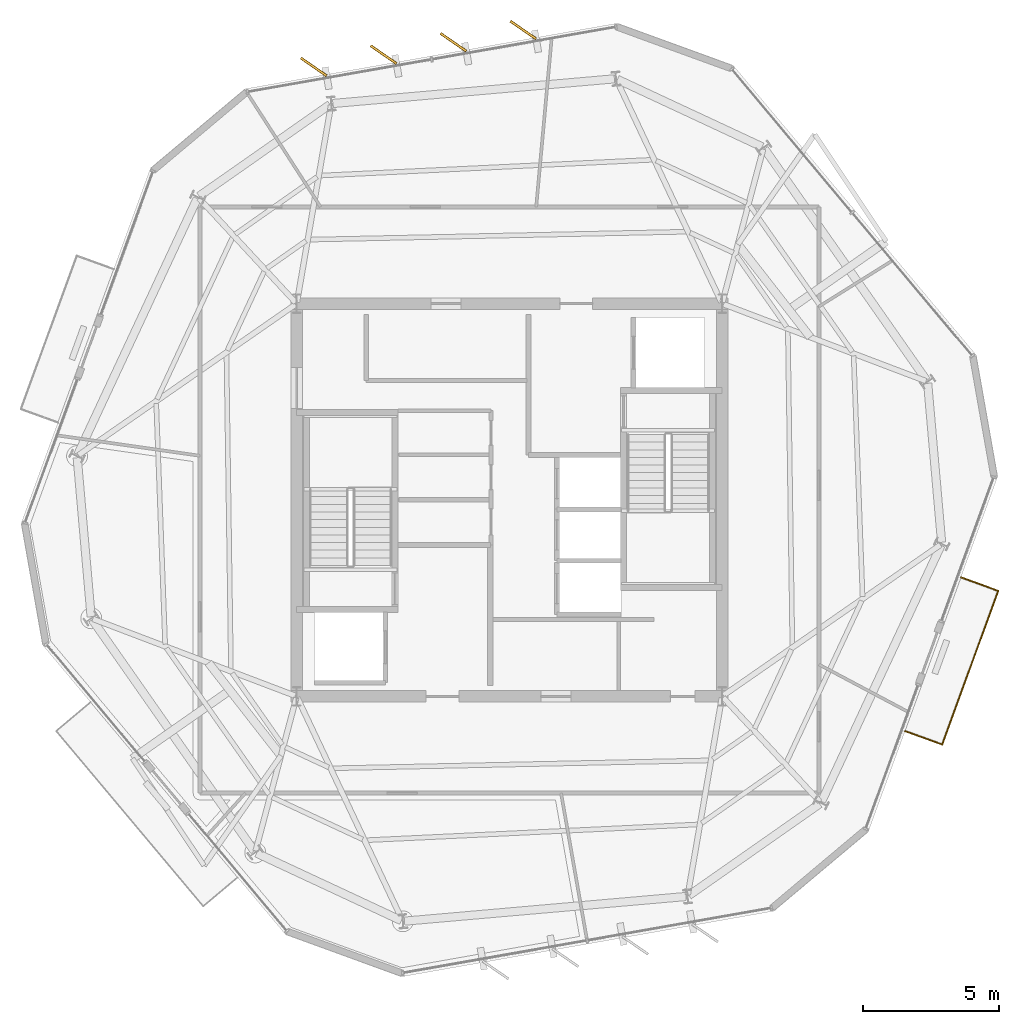
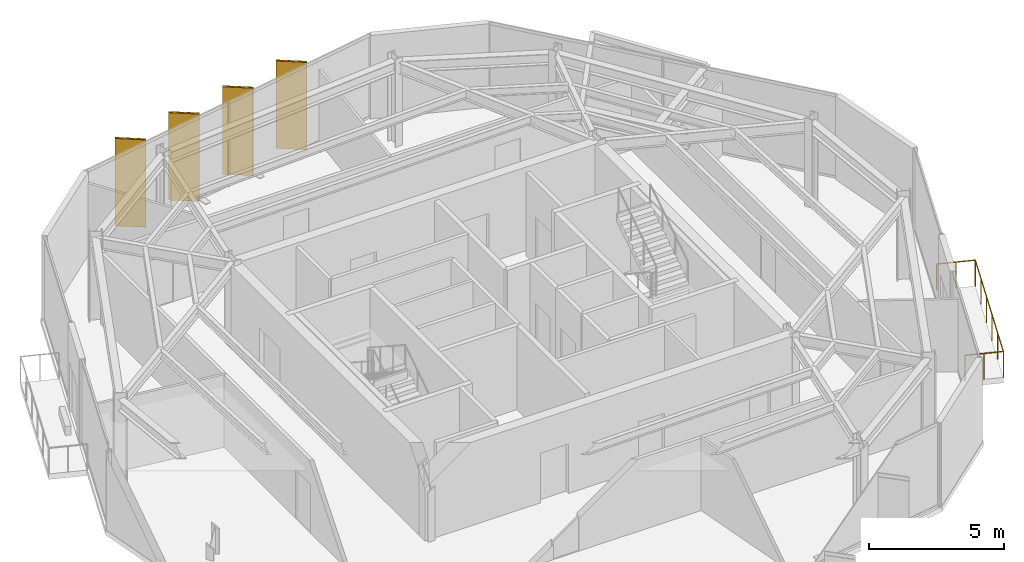
# One storey, part 11 of 11: 4 coverings, 4 shading devices, 1 railing.
"""IFC4 building model written with IfcOpenShell, lengths in metres."""

from ifc_helpers import new_model, si_unit, direction, frame, origin, origin_2d, place, context, subcontext, project, spatial, rectangle, circle, extrude, material, layer, layer_set, type_object, element, save


model = new_model("IFC4")

# Units and contexts
model_context = context("Model", 3, precision=1e-05, world=origin(), true_north=direction((0.0, 1.0)))
body_context = subcontext(model_context, "Body", "Model", "MODEL_VIEW")
ifc_project = project(units=[si_unit("LENGTHUNIT", "METRE"), si_unit("AREAUNIT", "SQUARE_METRE"), si_unit("VOLUMEUNIT", "CUBIC_METRE"), si_unit("PLANEANGLEUNIT", "RADIAN"), si_unit("MASSUNIT", "GRAM", prefix="KILO")], contexts=[model_context])

# Site, building, storey
site_placement = place(None, origin())
site = spatial("IfcSite", under=ifc_project, at=site_placement, CompositionType="ELEMENT")
building_placement = place(site_placement, origin())
building = spatial("IfcBuilding", under=site, at=building_placement, Name="Kranzbogen Civic Tower", CompositionType="ELEMENT")
storey_placement = place(building_placement, frame((0.0, 0.0, 306.199951171875)))
storey = spatial("IfcBuildingStorey", under=building, at=storey_placement, Name="L74", CompositionType="ELEMENT", Elevation=306.199951171875)

# Coverings
ifc_material_1 = material(Name="Pale Anodised Aluminium", Category="aluminium")
ifc_layer = layer(ifc_material_1, 0.02490234375, Name="Pale Anodised Aluminium")
ifc_layer_set = layer_set([ifc_layer], Name="Pale Anodised Aluminium")
covering_type = type_object("IfcCoveringType", Name="Anodised Aluminium Vertical Fin Cladding 25 mm", PredefinedType="CLADDING", material=ifc_layer_set)
for number, where, z_axis, x_axis, name in (
    (1, (25.5048828125, 42.237060546875, -0.139892578125), (0.0, 0.0, 1.0), (-0.822838933425, 0.568274660389, 0.0), "L74 vertical fin pale-metal cladding F1-1"),
    (2, (22.945068359375, 41.785888671875, -0.139892578125), (0.0, 0.0, 1.0), (-0.822838933425, 0.568274660389, 0.0), "L74 vertical fin pale-metal cladding F1-2"),
    (3, (20.384033203125, 41.333984375, -0.139892578125), (0.0, 0.0, 1.0), (-0.822838933425, 0.568274660389, 0.0), "L74 vertical fin pale-metal cladding F1-3"),
    (4, (17.823974609375, 40.883056640625, -0.139892578125), (0.0, 0.0, 1.0), (-0.822838933425, 0.568274660389, 0.0), "L74 vertical fin pale-metal cladding F1-4"),
):
    element("IfcCovering", number, at=place(storey_placement, frame(where, z_axis=z_axis, x_axis=x_axis)), inside=storey, type_object=covering_type, Name=name, PredefinedType="CLADDING", context=body_context, shape_type="SweptSolid", body=[
        extrude(rectangle(XDim=1.14990234375, YDim=0.094970703125, at=origin_2d()), origin(), (0.0, 0.0, 1.0), 3.9599609375),
    ])

# Railing
ifc_material_2 = material(Name="Anodised Bronze Aluminium", Category="aluminium")
railing_type = type_object("IfcRailingType", Name="Cantilevered Balcony Glass and Bronze Balustrade 1200", PredefinedType="BALUSTRADE", material=ifc_material_2)
railing_placement = place(storey_placement, frame((39.510009765625, 16.52587890625, 0.0)))
element("IfcRailing", 5, at=railing_placement, inside=storey, type_object=railing_type, Name="L74 exterior terrace balustrade L74-TB2", PredefinedType="BALUSTRADE", context=body_context, shape_type="SweptSolid", body=[
    extrude(circle(Radius=0.02392578125, at=origin_2d()), frame((0.0, 0.0, 1.17578125), z_axis=(0.939749184667, -0.341864695336, 0.0), x_axis=(0.341864695336, 0.939749184667, 0.0)), (0.0, 0.0, 1.0), 1.450439453125),
    extrude(circle(Radius=0.02392578125, at=origin_2d()), frame((1.363037109375, -0.495849609375, 1.17578125), z_axis=(0.342014228241, 0.939694773679, 0.0), x_axis=(-0.939694773679, 0.342014228241, 0.0)), (0.0, 0.0, 1.0), 5.999755859375),
    extrude(circle(Radius=0.02392578125, at=origin_2d()), frame((3.4150390625, 5.14208984375, 1.17578125), z_axis=(-0.939695099279, 0.342013333644, 0.0), x_axis=(-0.342013333644, -0.939695099279, 0.0)), (0.0, 0.0, 1.0), 1.450439453125),
    extrude(circle(Radius=0.02099609375, at=origin_2d()), origin(), (0.0, 0.0, 1.0), 1.15185546875),
    extrude(circle(Radius=0.02099609375, at=origin_2d()), frame((0.681640625, -0.248046875, 0.0)), (0.0, 0.0, 1.0), 1.15185546875),
    extrude(circle(Radius=0.02099609375, at=origin_2d()), frame((1.363037109375, -0.495849609375, 0.0)), (0.0, 0.0, 1.0), 1.15185546875),
    extrude(circle(Radius=0.02099609375, at=origin_2d()), frame((1.7734375, 0.6318359375, 0.0)), (0.0, 0.0, 1.0), 1.15185546875),
    extrude(circle(Radius=0.02099609375, at=origin_2d()), frame((2.183837890625, 1.75927734375, 0.0)), (0.0, 0.0, 1.0), 1.15185546875),
    extrude(circle(Radius=0.02099609375, at=origin_2d()), frame((2.59423828125, 2.886962890625, 0.0)), (0.0, 0.0, 1.0), 1.15185546875),
    extrude(circle(Radius=0.02099609375, at=origin_2d()), frame((3.004638671875, 4.014404296875, 0.0)), (0.0, 0.0, 1.0), 1.15185546875),
    extrude(circle(Radius=0.02099609375, at=origin_2d()), frame((3.4150390625, 5.14208984375, 0.0)), (0.0, 0.0, 1.0), 1.15185546875),
    extrude(circle(Radius=0.02099609375, at=origin_2d()), frame((2.7333984375, 5.39013671875, 0.0)), (0.0, 0.0, 1.0), 1.15185546875),
    extrude(circle(Radius=0.02099609375, at=origin_2d()), frame((2.052001953125, 5.63818359375, 0.0)), (0.0, 0.0, 1.0), 1.15185546875),
])

# Shading devices
shading_device_type = type_object("IfcShadingDeviceType", Name="Pale Anodised Aluminium Crown Fin 1150x75", PredefinedType="USERDEFINED", material=ifc_material_1)
for number, where, z_axis, x_axis, name in (
    (6, (25.5048828125, 42.237060546875, -0.139892578125), (0.0, 0.0, 1.0), (-0.822838933425, 0.568274660389, 0.0), "L74 vertical exterior shading fin F1-1"),
    (7, (22.945068359375, 41.785888671875, -0.139892578125), (0.0, 0.0, 1.0), (-0.822838933425, 0.568274660389, 0.0), "L74 vertical exterior shading fin F1-2"),
    (8, (20.384033203125, 41.333984375, -0.139892578125), (0.0, 0.0, 1.0), (-0.822838933425, 0.568274660389, 0.0), "L74 vertical exterior shading fin F1-3"),
    (9, (17.823974609375, 40.883056640625, -0.139892578125), (0.0, 0.0, 1.0), (-0.822838933425, 0.568274660389, 0.0), "L74 vertical exterior shading fin F1-4"),
):
    element("IfcShadingDevice", number, at=place(storey_placement, frame(where, z_axis=z_axis, x_axis=x_axis)), inside=storey, type_object=shading_device_type, Name=name, ObjectType="FIN", PredefinedType="USERDEFINED", context=body_context, shape_type="SweptSolid", body=[
        extrude(rectangle(XDim=1.14990234375, YDim=0.074951171875, at=origin_2d()), origin(), (0.0, 0.0, 1.0), 3.9599609375),
    ])

save(model, "model.ifc")
